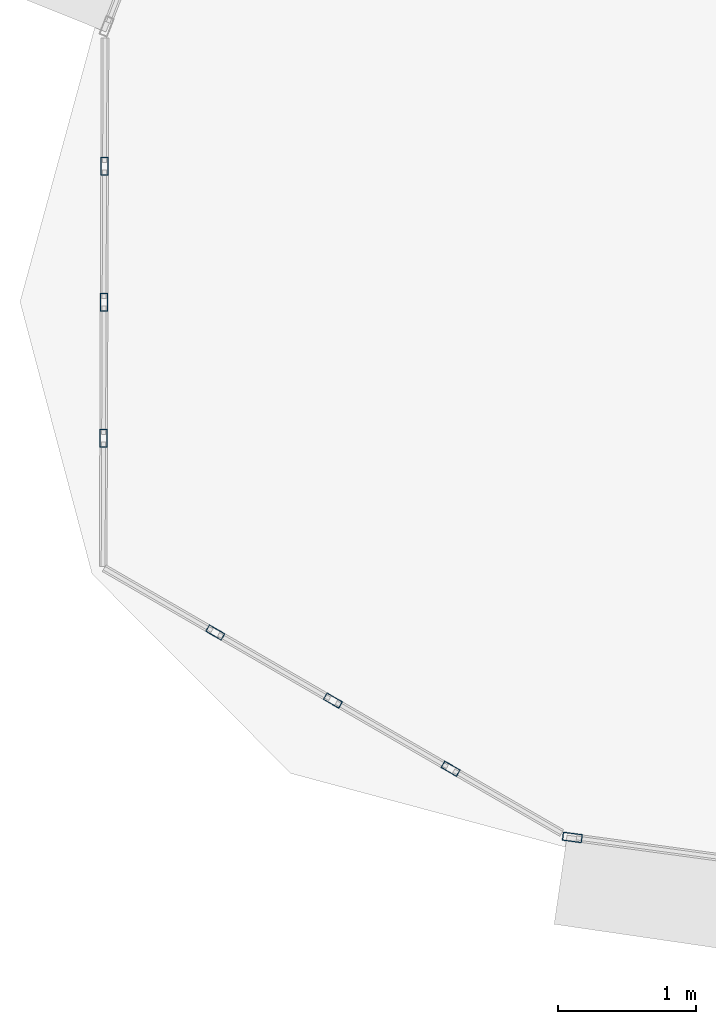
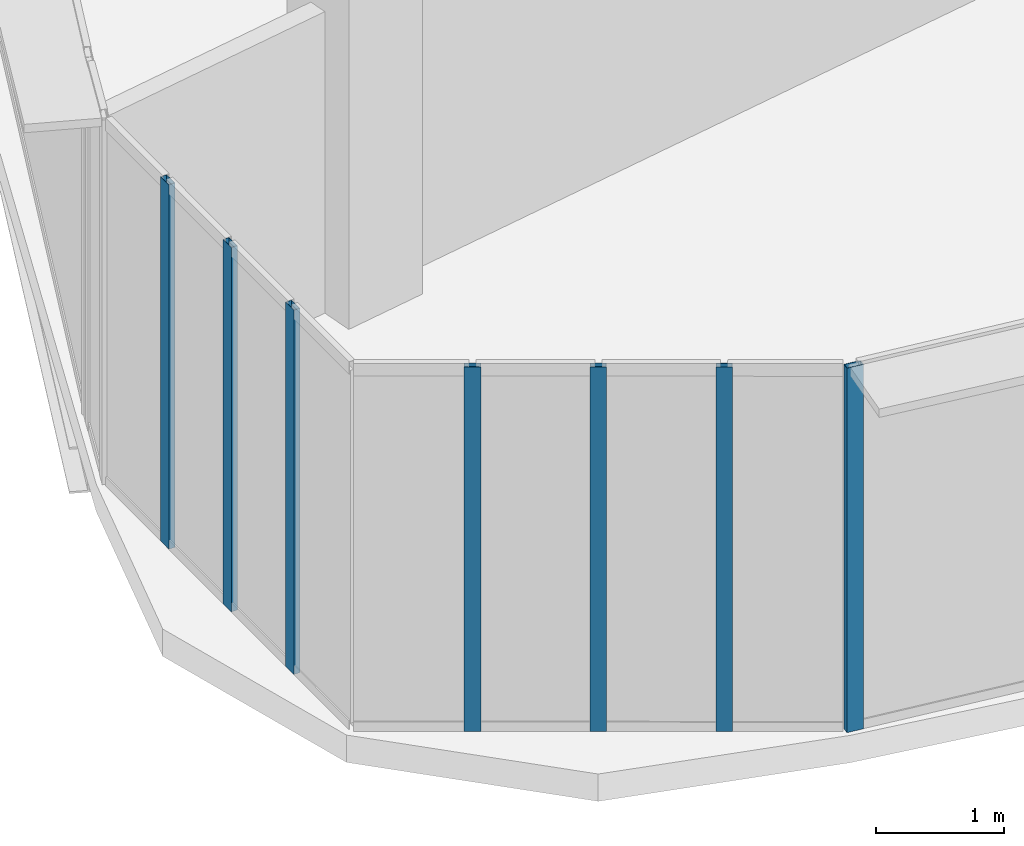
# One storey, part 2 of 39: 7 members, 3 elements without a shape of their own.
"""IFC4 building model written with IfcOpenShell, lengths in metres."""

from ifc_helpers import new_model, si_unit, direction, frame, origin, origin_2d, place, context, subcontext, project, spatial, hollow_rectangle, extrude, source, transform, mapped, material, layer, layer_set, material_profile, profile_set, type_object, element, aggregate, save


model = new_model("IFC4")

# Units and contexts
model_context = context("Model", 3, precision=1e-05, world=origin(), true_north=direction((0.0, 1.0)))
body_context = subcontext(model_context, "Body", "Model", "MODEL_VIEW")
ifc_project = project(units=[si_unit("LENGTHUNIT", "METRE"), si_unit("AREAUNIT", "SQUARE_METRE"), si_unit("VOLUMEUNIT", "CUBIC_METRE"), si_unit("PLANEANGLEUNIT", "RADIAN"), si_unit("MASSUNIT", "GRAM", prefix="KILO"), si_unit("THERMODYNAMICTEMPERATUREUNIT", "KELVIN"), si_unit("POWERUNIT", "WATT")], contexts=[model_context])

# Site, building, storey
site_placement = place(None, origin())
site = spatial("IfcSite", under=ifc_project, at=site_placement, CompositionType="ELEMENT")
building_placement = place(site_placement, origin())
building = spatial("IfcBuilding", under=site, at=building_placement, Name="Yunzhuo Pagoda Commons", CompositionType="ELEMENT")
storey_placement = place(building_placement, frame((0.0, 0.0, 296.2099609375)))
storey = spatial("IfcBuildingStorey", under=building, at=storey_placement, Name="L74", CompositionType="ELEMENT", Elevation=296.2099609375)

# Curtain wall, member
ifc_material = material(Name="Anodized aluminium 6063-T6", Category="aluminium")
ifc_layer_1 = layer(ifc_material, 0.139892578125)
ifc_layer_set_1 = layer_set([ifc_layer_1], Name="Anodized aluminium 6063-T6")
curtain_wall_type_1 = type_object("IfcCurtainWallType", Name="CW-HI High-Zone Ribbon Curtain Wall", PredefinedType="NOTDEFINED", material=ifc_layer_set_1)
curtain_wall_1_placement = place(storey_placement, origin())
curtain_wall_1 = element("IfcCurtainWall", 1, at=curtain_wall_1_placement, inside=storey, type_object=curtain_wall_type_1, Name="L74 curtain wall CW-L74-F1B1", PredefinedType="NOTDEFINED")
ifc_material_profile_1 = material_profile(ifc_material, hollow_rectangle(XDim=0.06005859375, YDim=0.139892578125, WallThickness=0.00341796875, at=origin_2d()), Name="Anodized aluminium 6063-T6")
ifc_profile_set_1 = profile_set([ifc_material_profile_1], Name="Anodized aluminium 6063-T6")
member_type_1 = type_object("IfcMemberType", Name="CW-HI-M Mullion RHS 140x60x3.5", PredefinedType="MULLION", material=ifc_profile_set_1)
shared_shape_1 = source(origin(), body_context, "Body", "SweptSolid", [
    extrude(hollow_rectangle(XDim=0.06005859375, YDim=0.139892578125, WallThickness=0.00341796875, at=origin_2d()), origin(), (0.0, 0.0, 1.0), 3.469970703125),
])
member_1_placement = place(storey_placement, frame((19.729736328125, 21.540283203125, 0.0), z_axis=(0.0, 0.0, 1.0), x_axis=(0.134853980826, 0.99086548222, 0.0)))
member_1 = element("IfcMember", 2, at=member_1_placement, type_object=member_type_1, Name="CW mullion 1", PredefinedType="MULLION", context=body_context, shape_type="MappedRepresentation", body=[
    mapped(shared_shape_1, transform((0.0, 0.0, 0.0), scale=1.0)),
])
aggregate(curtain_wall_1, [member_1])

# Curtain wall, members
ifc_layer_2 = layer(ifc_material, 0.1298828125)
ifc_layer_set_2 = layer_set([ifc_layer_2], Name="Anodized aluminium 6063-T6")
curtain_wall_type_2 = type_object("IfcCurtainWallType", Name="CW-VTX Rounded Corner Curtain Wall", PredefinedType="NOTDEFINED", material=ifc_layer_set_2)
curtain_wall_2_placement = place(storey_placement, origin())
curtain_wall_2 = element("IfcCurtainWall", 3, at=curtain_wall_2_placement, inside=storey, type_object=curtain_wall_type_2, Name="L74 curtain wall CW-L74-VTX1S1", PredefinedType="NOTDEFINED")
ifc_material_profile_2 = material_profile(ifc_material, hollow_rectangle(XDim=0.054931640625, YDim=0.1298828125, WallThickness=0.00341796875, at=origin_2d()), Name="Anodized aluminium 6063-T6")
ifc_profile_set_2 = profile_set([ifc_material_profile_2], Name="Anodized aluminium 6063-T6")
member_type_2 = type_object("IfcMemberType", Name="CW-VTX-M Mullion RHS 130x55x3.5", PredefinedType="MULLION", material=ifc_profile_set_2)
shared_shape_2 = source(origin(), body_context, "Body", "SweptSolid", [
    extrude(hollow_rectangle(XDim=0.054931640625, YDim=0.1298828125, WallThickness=0.00341796875, at=origin_2d()), origin(), (0.0, 0.0, 1.0), 3.469970703125),
])
member_2_placement = place(storey_placement, frame((16.351318359375, 26.388427734375, 0.0), z_axis=(0.0, 0.0, 1.0), x_axis=(0.999993556089, -0.003589955472, 0.0)))
member_2 = element("IfcMember", 4, at=member_2_placement, type_object=member_type_2, Name="CW mullion 2", PredefinedType="MULLION", context=body_context, shape_type="MappedRepresentation", body=[
    mapped(shared_shape_2, transform((0.0, 0.0, 0.0), scale=1.0)),
])
member_3_placement = place(storey_placement, frame((16.347900390625, 25.406494140625, 0.0), z_axis=(0.0, 0.0, 1.0), x_axis=(0.999993556089, -0.003589955472, 0.0)))
member_3 = element("IfcMember", 5, at=member_3_placement, type_object=member_type_2, Name="CW mullion 3", PredefinedType="MULLION", context=body_context, shape_type="MappedRepresentation", body=[
    mapped(shared_shape_2, transform((0.0, 0.0, 0.0), scale=1.0)),
])
member_4_placement = place(storey_placement, frame((16.34423828125, 24.4248046875, 0.0), z_axis=(0.0, 0.0, 1.0), x_axis=(0.999993556089, -0.003589955472, 0.0)))
member_4 = element("IfcMember", 6, at=member_4_placement, type_object=member_type_2, Name="CW mullion 4", PredefinedType="MULLION", context=body_context, shape_type="MappedRepresentation", body=[
    mapped(shared_shape_2, transform((0.0, 0.0, 0.0), scale=1.0)),
])
aggregate(curtain_wall_2, [member_2, member_3, member_4])

curtain_wall_3_placement = place(storey_placement, origin())
curtain_wall_3 = element("IfcCurtainWall", 7, at=curtain_wall_3_placement, inside=storey, type_object=curtain_wall_type_2, Name="L74 curtain wall CW-L74-VTX1S2", PredefinedType="NOTDEFINED")
member_5_placement = place(storey_placement, frame((17.150634765625, 23.020263671875, 0.0), z_axis=(0.0, 0.0, 1.0), x_axis=(0.501017201245, 0.86543732532, 0.0)))
member_5 = element("IfcMember", 8, at=member_5_placement, type_object=member_type_2, Name="CW mullion 2", PredefinedType="MULLION", context=body_context, shape_type="MappedRepresentation", body=[
    mapped(shared_shape_2, transform((0.0, 0.0, 0.0), scale=1.0)),
])
member_6_placement = place(storey_placement, frame((18.00048828125, 22.5283203125, 0.0), z_axis=(0.0, 0.0, 1.0), x_axis=(0.501017201245, 0.86543732532, 0.0)))
member_6 = element("IfcMember", 9, at=member_6_placement, type_object=member_type_2, Name="CW mullion 3", PredefinedType="MULLION", context=body_context, shape_type="MappedRepresentation", body=[
    mapped(shared_shape_2, transform((0.0, 0.0, 0.0), scale=1.0)),
])
member_7_placement = place(storey_placement, frame((18.850341796875, 22.036376953125, 0.0), z_axis=(0.0, 0.0, 1.0), x_axis=(0.501017201245, 0.86543732532, 0.0)))
member_7 = element("IfcMember", 10, at=member_7_placement, type_object=member_type_2, Name="CW mullion 4", PredefinedType="MULLION", context=body_context, shape_type="MappedRepresentation", body=[
    mapped(shared_shape_2, transform((0.0, 0.0, 0.0), scale=1.0)),
])
aggregate(curtain_wall_3, [member_5, member_6, member_7])

save(model, "model.ifc")
